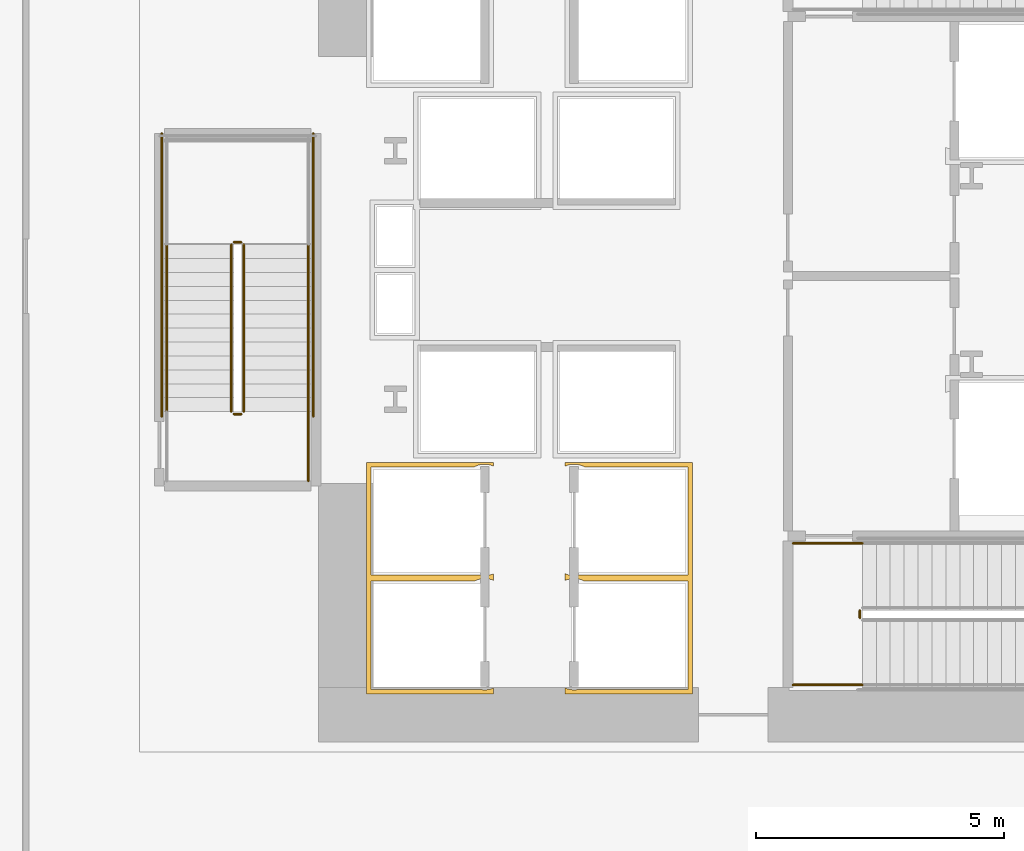
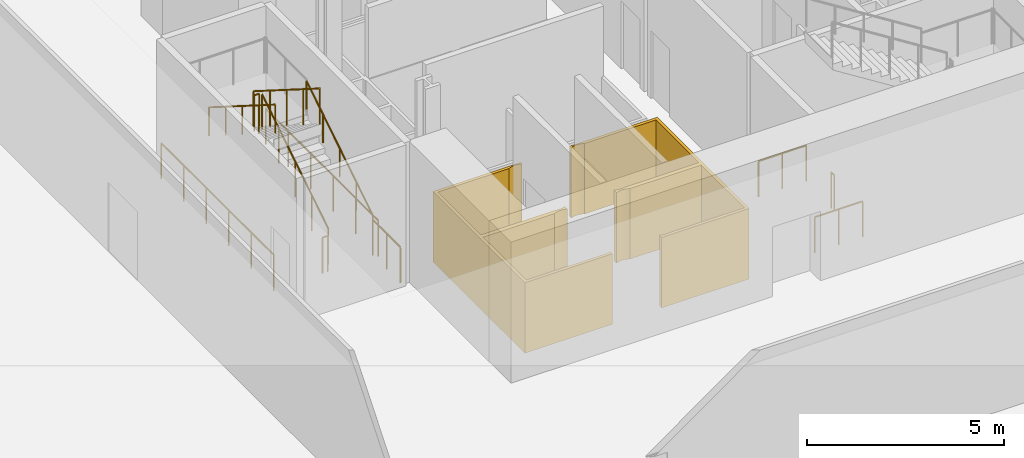
# One storey, part 11 of 18: 12 railings, 2 coverings.
"""IFC4 building model written with IfcOpenShell, lengths in metres."""

import ifcopenshell
import ifcopenshell.guid

model = None  # the IFC model being written
_history = None  # IfcOwnerHistory: only IFC2X3 demands one
_inside = {}  # id of a spatial element -> (the spatial element, [elements in it])
_under = {}  # id of a project, library or spatial element -> (it, [spatial elements below it])
_declared = {}  # id of a project -> (the project, [libraries it declares])
_typed = {}  # id of a type object -> (the type object, [elements of that type])
_made_of = {}  # id of a material, layer set ... -> (it, [elements and type objects made of it])


def new_model(schema):
    """Start an empty IFC model of exactly this schema.

    Asked for "IFC4X3", IfcOpenShell would pick the latest addendum, in which some entities
    have other attributes; the version numbers below select the first issue.
    IFC2X3 requires an IfcOwnerHistory on every rooted entity: one is made here for all.
    """
    global model, _history
    if schema == "IFC4X3":
        model = ifcopenshell.file(schema_version=(4, 3, 0, 0))
    else:
        model = ifcopenshell.file(schema=schema)
    _inside.clear()
    _under.clear()
    _declared.clear()
    _typed.clear()
    _made_of.clear()
    _history = None
    if model.schema == "IFC2X3":
        org = make("IfcOrganization", Name="unknown")
        user = make(
            "IfcPersonAndOrganization",
            ThePerson=make("IfcPerson", FamilyName="unknown"),
            TheOrganization=org,
        )
        app = make(
            "IfcApplication",
            ApplicationDeveloper=org,
            Version="unknown",
            ApplicationFullName="unknown",
            ApplicationIdentifier="unknown",
        )
        _history = make(
            "IfcOwnerHistory",
            OwningUser=user,
            OwningApplication=app,
            ChangeAction="ADDED",
            CreationDate=0,
        )
    return model


def make(cls, **values):
    """One entity of the class cls with the attributes given. An attribute that is None is left unset."""
    return model.create_entity(
        cls, **{name: value for name, value in values.items() if value is not None}
    )


def rooted(cls, **values):
    """An entity with a GlobalId (a new one), such as an element, a storey or a relation."""
    return make(cls, GlobalId=ifcopenshell.guid.new(), OwnerHistory=_history, **values)


def si_unit(unit_type, name, prefix=None):
    """IfcSIUnit, for example si_unit("LENGTHUNIT", "METRE", prefix="MILLI")."""
    return make("IfcSIUnit", UnitType=unit_type, Prefix=prefix, Name=name)


def assignment(units):
    """IfcUnitAssignment: the units of a project."""
    return None if units is None else make("IfcUnitAssignment", Units=units)


def point(xyz):
    """IfcCartesianPoint."""
    return None if xyz is None else make("IfcCartesianPoint", Coordinates=xyz)


def direction(xyz):
    """IfcDirection."""
    return None if xyz is None else make("IfcDirection", DirectionRatios=xyz)


def frame(location, z_axis=None, x_axis=None):
    """IfcAxis2Placement3D, a coordinate frame: its origin and axes. An axis left out is left unset."""
    return make(
        "IfcAxis2Placement3D",
        Location=point(location),
        Axis=direction(z_axis),
        RefDirection=direction(x_axis),
    )


def frame_2d(location, x_axis=None):
    """IfcAxis2Placement2D, a coordinate frame in the plane: its origin and x axis."""
    return make(
        "IfcAxis2Placement2D", Location=point(location), RefDirection=direction(x_axis)
    )


def origin():
    """The frame at (0, 0, 0) with its axes left unset."""
    return frame((0.0, 0.0, 0.0))


def origin_2d():
    """The frame at (0, 0) in the plane with its x axis left unset."""
    return frame_2d((0.0, 0.0))


def place(relative_to, where):
    """IfcLocalPlacement: puts the frame where relative to a parent placement (None: the world)."""
    return make(
        "IfcLocalPlacement", PlacementRelTo=relative_to, RelativePlacement=where
    )


def context(
    kind, dimensions, precision=None, world=None, true_north=None, identifier=None
):
    """IfcGeometricRepresentationContext, for example the 3D "Model" context."""
    return make(
        "IfcGeometricRepresentationContext",
        ContextIdentifier=identifier,
        ContextType=kind,
        CoordinateSpaceDimension=dimensions,
        Precision=precision,
        WorldCoordinateSystem=world,
        TrueNorth=true_north,
    )


def subcontext(parent, identifier, kind, view, scale=None):
    """IfcGeometricRepresentationSubContext, for example "Body" below "Model"."""
    return make(
        "IfcGeometricRepresentationSubContext",
        ContextIdentifier=identifier,
        ContextType=kind,
        ParentContext=parent,
        TargetScale=scale,
        TargetView=view,
    )


def project(units=None, contexts=None):
    """IfcProject with its units and contexts."""
    return rooted(
        "IfcProject",
        Name="project",
        RepresentationContexts=contexts,
        UnitsInContext=assignment(units),
    )


def spatial(cls, under=None, at=None, **own):
    """A site, building, storey or space (cls), placed at a placement, below another one or the project."""
    s = rooted(cls, ObjectPlacement=at, **own)
    if under is not None:
        _under.setdefault(under.id(), (under, []))[1].append(s)
    return s


def polyline(points):
    """IfcPolyline through the points."""
    return make("IfcPolyline", Points=[point(p) for p in points])


def profile(cls, at=None, kind="AREA", **sizes):
    """A parametric profile (cls). Its sizes go by their IFC names, for example OverallWidth=200.0."""
    return make(cls, ProfileType=kind, Position=at, **sizes)


def circle(**sizes):
    """IfcCircleProfileDef."""
    return profile("IfcCircleProfileDef", **sizes)


def outline(outer, holes=None, kind="AREA"):
    """IfcArbitraryClosedProfileDef: a profile drawn as a closed curve; with holes, ...WithVoids."""
    if holes is None:
        return make("IfcArbitraryClosedProfileDef", ProfileType=kind, OuterCurve=outer)
    return make(
        "IfcArbitraryProfileDefWithVoids",
        ProfileType=kind,
        OuterCurve=outer,
        InnerCurves=holes,
    )


def extrude(swept, where, along, depth):
    """IfcExtrudedAreaSolid: the profile swept, set in the frame where, extruded along a direction by depth."""
    return make(
        "IfcExtrudedAreaSolid",
        SweptArea=swept,
        Position=where,
        ExtrudedDirection=direction(along),
        Depth=depth,
    )


def shape(context_of_items, identifier, shape_type, items):
    """IfcShapeRepresentation: the items that make up one representation, for example the "Body"."""
    return make(
        "IfcShapeRepresentation",
        ContextOfItems=context_of_items,
        RepresentationIdentifier=identifier,
        RepresentationType=shape_type,
        Items=items,
    )


def material(Name=None, Category=None):
    """IfcMaterial."""
    return make("IfcMaterial", Name=Name, Category=Category)


def layer(
    of_material, thickness, ventilated=None, Name=None, Category=None, Priority=None
):
    """IfcMaterialLayer: one layer of a wall or slab, of a material (None: an air gap)."""
    return make(
        "IfcMaterialLayer",
        Material=of_material,
        LayerThickness=thickness,
        IsVentilated=ventilated,
        Name=Name,
        Category=Category,
        Priority=Priority,
    )


def layer_set(layers, Name=None):
    """IfcMaterialLayerSet."""
    return make("IfcMaterialLayerSet", MaterialLayers=layers, LayerSetName=Name)


def made_of(thing, what):
    """Note that an element or type object is made of a material, layer set ...; save() writes the relation."""
    if what is not None:
        _made_of.setdefault(what.id(), (what, []))[1].append(thing)
    return thing


def type_object(cls, material=None, **own):
    """A type object (cls), such as IfcWallType, which elements share."""
    return made_of(rooted(cls, **own), material)


def element(
    cls,
    number,
    at=None,
    inside=None,
    cuts=None,
    type_object=None,
    material=None,
    context=None,
    identifier="Body",
    shape_type=None,
    held_by="IfcProductDefinitionShape",
    body=None,
    shapes=None,
    **own,
):
    """One element of the class cls, such as IfcWall. Its Tag is "e" and its number.

    at: its placement. inside: the storey or other place that contains it. cuts: it is an
    opening in that element (IfcRelVoidsElement). A single representation is given by context,
    identifier, shape_type and body (its items); several are given by shapes. held_by: the class
    of the entity that holds the representations. save() writes the other relations.
    """
    e = rooted(cls, Tag="e%d" % number, ObjectPlacement=at, **own)
    if body is not None:
        shapes = [shape(context, identifier, shape_type, body)]
    if shapes is not None:
        e.Representation = make(held_by, Representations=shapes)
    if inside is not None:
        _inside.setdefault(inside.id(), (inside, []))[1].append(e)
    if cuts is not None:
        rooted(
            "IfcRelVoidsElement", RelatingBuildingElement=cuts, RelatedOpeningElement=e
        )
    if type_object is not None:
        _typed.setdefault(type_object.id(), (type_object, []))[1].append(e)
    return made_of(e, material)


def aggregate(whole, parts):
    """IfcRelAggregates: a whole, such as a stair, and the parts it consists of."""
    return rooted("IfcRelAggregates", RelatingObject=whole, RelatedObjects=parts)


def save(model, path):
    """Write the relations noted so far, then the file.

    IfcRelAggregates (storeys below a building ...), IfcRelContainedInSpatialStructure (elements
    in a storey), IfcRelDefinesByType, IfcRelAssociatesMaterial and IfcRelDeclares: one each for
    every whole, place, type object, material and project.
    """
    for whole, parts in _under.values():
        aggregate(whole, parts)
    for where, things in _inside.values():
        rooted(
            "IfcRelContainedInSpatialStructure",
            RelatedElements=things,
            RelatingStructure=where,
        )
    for kind, things in _typed.values():
        rooted("IfcRelDefinesByType", RelatedObjects=things, RelatingType=kind)
    for what, things in _made_of.values():
        rooted("IfcRelAssociatesMaterial", RelatedObjects=things, RelatingMaterial=what)
    for by, libraries in _declared.values():
        rooted("IfcRelDeclares", RelatingContext=by, RelatedDefinitions=libraries)
    model.write(path)


model = new_model("IFC4")

# Units and contexts
model_context = context("Model", 3, precision=1e-05, world=origin(), true_north=direction((0.0, 1.0)))
body_context = subcontext(model_context, "Body", "Model", "MODEL_VIEW")
ifc_project = project(units=[si_unit("LENGTHUNIT", "METRE"), si_unit("AREAUNIT", "SQUARE_METRE"), si_unit("VOLUMEUNIT", "CUBIC_METRE"), si_unit("PLANEANGLEUNIT", "RADIAN"), si_unit("MASSUNIT", "GRAM", prefix="KILO")], contexts=[model_context])

# Site, building, storey
site_placement = place(None, origin())
site = spatial("IfcSite", under=ifc_project, at=site_placement, CompositionType="ELEMENT")
building_placement = place(site_placement, origin())
building = spatial("IfcBuilding", under=site, at=building_placement, Name="Valkerne Bourse Tower", CompositionType="ELEMENT")
storey_placement = place(building_placement, frame((0.0, 0.0, 14.800048828125)))
storey = spatial("IfcBuildingStorey", under=building, at=storey_placement, Name="L03", CompositionType="ELEMENT", Elevation=14.800048828125)

# Coverings
ifc_material_1 = material(Name="Gypsum Shaftwall Liner Board", Category="gypsum")
ifc_layer = layer(ifc_material_1, 0.080078125)
ifc_layer_set = layer_set([ifc_layer], Name="Gypsum Shaftwall Liner Board")
covering_type = type_object("IfcCoveringType", Name="COV-SHF-CLAD", PredefinedType="CLADDING", material=ifc_layer_set)
covering_1_placement = place(storey_placement, origin())
element("IfcCovering", 1, at=covering_1_placement, inside=storey, type_object=covering_type, Name="L03 Hoistway & Riser Shaftwall Liner 01", PredefinedType="CLADDING", context=body_context, shape_type="SweptSolid", body=[
    extrude(outline(polyline([(38.169921875, 23.1298828125), (40.72998046875, 23.1298828125), (40.72998046875, 23.052001953125), (40.72216796875, 23.0556640625), (40.6806640625, 23.070556640625), (40.6376953125, 23.081298828125), (40.593994140625, 23.087890625), (40.550048828125, 23.090087890625), (40.505859375, 23.087890625), (40.462158203125, 23.081298828125), (40.41943359375, 23.070556640625), (40.377685546875, 23.0556640625), (40.344482421875, 23.0400390625), (38.260009765625, 23.0400390625), (38.260009765625, 20.860107421875), (40.456787109375, 20.860107421875), (40.462158203125, 20.858642578125), (40.505859375, 20.852294921875), (40.550048828125, 20.85009765625), (40.593994140625, 20.852294921875), (40.6376953125, 20.858642578125), (40.6806640625, 20.869384765625), (40.72216796875, 20.88427734375), (40.72998046875, 20.887939453125), (40.72998046875, 20.830078125), (40.72998046875, 20.77001953125), (40.72998046875, 20.752197265625), (40.72216796875, 20.755615234375), (40.6806640625, 20.7705078125), (40.6376953125, 20.781494140625), (40.593994140625, 20.787841796875), (40.550048828125, 20.7900390625), (40.505859375, 20.787841796875), (40.462158203125, 20.781494140625), (40.41943359375, 20.7705078125), (40.377685546875, 20.755615234375), (40.344482421875, 20.739990234375), (38.260009765625, 20.739990234375), (38.260009765625, 18.56005859375), (40.456787109375, 18.56005859375), (40.462158203125, 18.55859375), (40.505859375, 18.55224609375), (40.550048828125, 18.550048828125), (40.593994140625, 18.55224609375), (40.6376953125, 18.55859375), (40.6806640625, 18.5693359375), (40.72216796875, 18.584228515625), (40.72998046875, 18.587890625), (40.72998046875, 18.469970703125), (38.169921875, 18.469970703125), (38.169921875, 20.77001953125), (38.169921875, 20.830078125), (38.169921875, 23.1298828125)])), origin(), (0.0, 0.0, 1.0), 2.179931640625),
])
covering_2_placement = place(storey_placement, origin())
element("IfcCovering", 2, at=covering_2_placement, inside=storey, type_object=covering_type, Name="L03 Hoistway & Riser Shaftwall Liner 06", PredefinedType="CLADDING", context=body_context, shape_type="SweptSolid", body=[
    extrude(outline(polyline([(42.169921875, 20.830078125), (42.169921875, 20.887939453125), (42.177734375, 20.88427734375), (42.219482421875, 20.869384765625), (42.26220703125, 20.858642578125), (42.305908203125, 20.852294921875), (42.35009765625, 20.85009765625), (42.39404296875, 20.852294921875), (42.437744140625, 20.858642578125), (42.443115234375, 20.860107421875), (44.639892578125, 20.860107421875), (44.639892578125, 23.0400390625), (42.555419921875, 23.0400390625), (42.522216796875, 23.0556640625), (42.480712890625, 23.070556640625), (42.437744140625, 23.081298828125), (42.39404296875, 23.087890625), (42.35009765625, 23.090087890625), (42.305908203125, 23.087890625), (42.26220703125, 23.081298828125), (42.219482421875, 23.070556640625), (42.177734375, 23.0556640625), (42.169921875, 23.052001953125), (42.169921875, 23.1298828125), (44.72998046875, 23.1298828125), (44.72998046875, 20.830078125), (44.72998046875, 20.77001953125), (44.72998046875, 18.469970703125), (42.169921875, 18.469970703125), (42.169921875, 18.587890625), (42.177734375, 18.584228515625), (42.219482421875, 18.5693359375), (42.26220703125, 18.55859375), (42.305908203125, 18.55224609375), (42.35009765625, 18.550048828125), (42.39404296875, 18.55224609375), (42.437744140625, 18.55859375), (42.443115234375, 18.56005859375), (44.639892578125, 18.56005859375), (44.639892578125, 20.739990234375), (42.555419921875, 20.739990234375), (42.522216796875, 20.755615234375), (42.480712890625, 20.7705078125), (42.437744140625, 20.781494140625), (42.39404296875, 20.787841796875), (42.35009765625, 20.7900390625), (42.305908203125, 20.787841796875), (42.26220703125, 20.781494140625), (42.219482421875, 20.7705078125), (42.177734375, 20.755615234375), (42.169921875, 20.752197265625), (42.169921875, 20.77001953125), (42.169921875, 20.830078125)])), origin(), (0.0, 0.0, 1.0), 2.179931640625),
])

# Railings
ifc_material_2 = material(Name="Galvanised Painted Steel", Category="steel")
railing_type_1 = type_object("IfcRailingType", Name="RLG-ST-GUARD-1120", PredefinedType="GUARDRAIL", material=ifc_material_2)
railing_1_placement = place(storey_placement, frame((48.10009765625, 20.0, 0.0)))
element("IfcRailing", 3, at=railing_1_placement, inside=storey, type_object=railing_type_1, Name="L03 ST-1 stair guard 7", PredefinedType="GUARDRAIL", context=body_context, shape_type="SweptSolid", body=[
    extrude(circle(Radius=0.02392578125, at=origin_2d()), frame((0.0, 0.0, 1.09619140625), z_axis=(0.0, 1.0, 0.0), x_axis=(-1.0, 0.0, 0.0)), (0.0, 0.0, 1.0), 0.14990234375),
    extrude(circle(Radius=0.02099609375, at=origin_2d()), origin(), (0.0, 0.0, 1.0), 1.072021484375),
    extrude(circle(Radius=0.02099609375, at=origin_2d()), frame((0.0, 0.14990234375, 0.0)), (0.0, 0.0, 1.0), 1.072021484375),
])
for number, where, name in (
    (4, (46.75, 18.64990234375, 0.0), "L03 ST-1 stair guard 8"),
    (5, (46.75, 21.5, 0.0), "L03 ST-1 stair guard 9"),
):
    element("IfcRailing", number, at=place(storey_placement, frame(where)), inside=storey, type_object=railing_type_1, Name=name, PredefinedType="GUARDRAIL", context=body_context, shape_type="SweptSolid", body=[
        extrude(circle(Radius=0.02392578125, at=origin_2d()), frame((0.0, 0.0, 1.09619140625), z_axis=(1.0, 0.0, 0.0), x_axis=(0.0, 1.0, 0.0)), (0.0, 0.0, 1.0), 1.39990234375),
        extrude(circle(Radius=0.02099609375, at=origin_2d()), origin(), (0.0, 0.0, 1.0), 1.072021484375),
        extrude(circle(Radius=0.02099609375, at=origin_2d()), frame((0.699951171875, 0.0, 0.0)), (0.0, 0.0, 1.0), 1.072021484375),
        extrude(circle(Radius=0.02099609375, at=origin_2d()), frame((1.39990234375, 0.0, 0.0)), (0.0, 0.0, 1.0), 1.072021484375),
    ])
railing_2_placement = place(storey_placement, frame((35.699951171875, 24.14990234375, 0.1767578125)))
element("IfcRailing", 6, at=railing_2_placement, inside=storey, type_object=railing_type_1, Name="L03 ST-3 stair guard 1", PredefinedType="GUARDRAIL", context=body_context, shape_type="SweptSolid", body=[
    extrude(circle(Radius=0.02392578125, at=origin_2d()), frame((0.0, 0.0, 1.09619140625), z_axis=(0.0, 0.845361898145, 0.534194029511), x_axis=(-1.0, 0.0, 0.0)), (0.0, 0.0, 1.0), 3.974853515625),
    extrude(circle(Radius=0.02099609375, at=origin_2d()), origin(), (0.0, 0.0, 1.0), 1.072021484375),
    extrude(circle(Radius=0.02099609375, at=origin_2d()), frame((0.0, 0.840087890625, 0.53076171875)), (0.0, 0.0, 1.0), 1.072021484375),
    extrude(circle(Radius=0.02099609375, at=origin_2d()), frame((0.0, 1.68017578125, 1.0615234375)), (0.0, 0.0, 1.0), 1.072021484375),
    extrude(circle(Radius=0.02099609375, at=origin_2d()), frame((0.0, 2.52001953125, 1.592529296875)), (0.0, 0.0, 1.0), 1.072021484375),
    extrude(circle(Radius=0.02099609375, at=origin_2d()), frame((0.0, 3.360107421875, 2.123291015625)), (0.0, 0.0, 1.0), 1.072021484375),
])
railing_3_placement = place(storey_placement, frame((35.64990234375, 27.56005859375, 2.300048828125)))
element("IfcRailing", 7, at=railing_3_placement, inside=storey, type_object=railing_type_1, Name="L03 ST-3 stair guard 2", PredefinedType="GUARDRAIL", context=body_context, shape_type="SweptSolid", body=[
    extrude(circle(Radius=0.02392578125, at=origin_2d()), frame((0.0, 0.0, 1.09619140625), z_axis=(-1.0, 0.0, 0.0), x_axis=(0.0, -1.0, 0.0)), (0.0, 0.0, 1.0), 0.14990234375),
    extrude(circle(Radius=0.02099609375, at=origin_2d()), origin(), (0.0, 0.0, 1.0), 1.072021484375),
    extrude(circle(Radius=0.02099609375, at=origin_2d()), frame((-0.14990234375, 0.0, 0.0)), (0.0, 0.0, 1.0), 1.072021484375),
])
railing_4_placement = place(storey_placement, frame((35.449951171875, 27.510009765625, 2.476806640625)))
element("IfcRailing", 8, at=railing_4_placement, inside=storey, type_object=railing_type_1, Name="L03 ST-3 stair guard 6", PredefinedType="GUARDRAIL", context=body_context, shape_type="SweptSolid", body=[
    extrude(circle(Radius=0.02392578125, at=origin_2d()), frame((0.0, 0.0, 1.09619140625), z_axis=(0.0, -0.845389635667, 0.534150132366), x_axis=(1.0, 0.0, 0.0)), (0.0, 0.0, 1.0), 3.974609375),
    extrude(circle(Radius=0.02099609375, at=origin_2d()), origin(), (0.0, 0.0, 1.0), 1.072021484375),
    extrude(circle(Radius=0.02099609375, at=origin_2d()), frame((0.0, -0.840087890625, 0.53076171875)), (0.0, 0.0, 1.0), 1.072021484375),
    extrude(circle(Radius=0.02099609375, at=origin_2d()), frame((0.0, -1.68017578125, 1.0615234375)), (0.0, 0.0, 1.0), 1.072021484375),
    extrude(circle(Radius=0.02099609375, at=origin_2d()), frame((0.0, -2.52001953125, 1.59228515625)), (0.0, 0.0, 1.0), 1.072021484375),
    extrude(circle(Radius=0.02099609375, at=origin_2d()), frame((0.0, -3.360107421875, 2.123046875)), (0.0, 0.0, 1.0), 1.072021484375),
])
railing_5_placement = place(storey_placement, frame((35.64990234375, 24.10009765625, 0.0)))
element("IfcRailing", 9, at=railing_5_placement, inside=storey, type_object=railing_type_1, Name="L03 ST-3 stair guard 7", PredefinedType="GUARDRAIL", context=body_context, shape_type="SweptSolid", body=[
    extrude(circle(Radius=0.02392578125, at=origin_2d()), frame((0.0, 0.0, 1.09619140625), z_axis=(-1.0, 0.0, 0.0), x_axis=(0.0, -1.0, 0.0)), (0.0, 0.0, 1.0), 0.14990234375),
    extrude(circle(Radius=0.02099609375, at=origin_2d()), origin(), (0.0, 0.0, 1.0), 1.072021484375),
    extrude(circle(Radius=0.02099609375, at=origin_2d()), frame((-0.14990234375, 0.0, 0.0)), (0.0, 0.0, 1.0), 1.072021484375),
])
railing_6_placement = place(storey_placement, frame((37.0, 22.75, 0.0)))
element("IfcRailing", 10, at=railing_6_placement, inside=storey, type_object=railing_type_1, Name="L03 ST-3 stair guard 8", PredefinedType="GUARDRAIL", context=body_context, shape_type="SweptSolid", body=[
    extrude(circle(Radius=0.02392578125, at=origin_2d()), frame((0.0, 0.0, 1.09619140625), z_axis=(0.0, 1.0, 0.0), x_axis=(-1.0, 0.0, 0.0)), (0.0, 0.0, 1.0), 1.39990234375),
    extrude(circle(Radius=0.02099609375, at=origin_2d()), origin(), (0.0, 0.0, 1.0), 1.072021484375),
    extrude(circle(Radius=0.02099609375, at=origin_2d()), frame((0.0, 0.699951171875, 0.0)), (0.0, 0.0, 1.0), 1.072021484375),
    extrude(circle(Radius=0.02099609375, at=origin_2d()), frame((0.0, 1.39990234375, 0.0)), (0.0, 0.0, 1.0), 1.072021484375),
])
for number, where, name in (
    (11, (37.10009765625, 24.050048828125, 0.0), "L03 ST-3 stair guard 10"),
    (12, (34.050048828125, 24.050048828125, 0.0), "L03 ST-3 stair guard 11"),
):
    element("IfcRailing", number, at=place(storey_placement, frame(where)), inside=storey, type_object=railing_type_1, Name=name, PredefinedType="GUARDRAIL", context=body_context, shape_type="SweptSolid", body=[
        extrude(circle(Radius=0.02392578125, at=origin_2d()), frame((0.0, 0.0, 1.09619140625), z_axis=(0.0, 1.0, 0.0), x_axis=(-1.0, 0.0, 0.0)), (0.0, 0.0, 1.0), 5.699951171875),
        extrude(circle(Radius=0.02099609375, at=origin_2d()), origin(), (0.0, 0.0, 1.0), 1.072021484375),
        extrude(circle(Radius=0.02099609375, at=origin_2d()), frame((0.0, 1.139892578125, 0.0)), (0.0, 0.0, 1.0), 1.072021484375),
        extrude(circle(Radius=0.02099609375, at=origin_2d()), frame((0.0, 2.280029296875, 0.0)), (0.0, 0.0, 1.0), 1.072021484375),
        extrude(circle(Radius=0.02099609375, at=origin_2d()), frame((0.0, 3.419921875, 0.0)), (0.0, 0.0, 1.0), 1.072021484375),
        extrude(circle(Radius=0.02099609375, at=origin_2d()), frame((0.0, 4.56005859375, 0.0)), (0.0, 0.0, 1.0), 1.072021484375),
        extrude(circle(Radius=0.02099609375, at=origin_2d()), frame((0.0, 5.699951171875, 0.0)), (0.0, 0.0, 1.0), 1.072021484375),
    ])
ifc_material_3 = material(Name="Stainless Steel AISI 316", Category="steel")
railing_type_2 = type_object("IfcRailingType", Name="RLG-ST-HANDRAIL-900", PredefinedType="HANDRAIL", material=ifc_material_3)
railing_7_placement = place(storey_placement, frame((37.0, 24.14990234375, 0.353759765625)))
element("IfcRailing", 13, at=railing_7_placement, inside=storey, type_object=railing_type_2, Name="L03 ST-3 stair handrail 1", PredefinedType="HANDRAIL", context=body_context, shape_type="SweptSolid", body=[
    extrude(circle(Radius=0.02392578125, at=origin_2d()), frame((0.0, 0.0, 0.8759765625), z_axis=(0.0, 0.845389635667, 0.534150132366), x_axis=(-1.0, 0.0, 0.0)), (0.0, 0.0, 1.0), 3.974609375),
    extrude(circle(Radius=0.02099609375, at=origin_2d()), origin(), (0.0, 0.0, 1.0), 0.851806640625),
    extrude(circle(Radius=0.02099609375, at=origin_2d()), frame((0.0, 0.840087890625, 0.53076171875)), (0.0, 0.0, 1.0), 0.851806640625),
    extrude(circle(Radius=0.02099609375, at=origin_2d()), frame((0.0, 1.68017578125, 1.0615234375)), (0.0, 0.0, 1.0), 0.851806640625),
    extrude(circle(Radius=0.02099609375, at=origin_2d()), frame((0.0, 2.52001953125, 1.59228515625)), (0.0, 0.0, 1.0), 0.851806640625),
    extrude(circle(Radius=0.02099609375, at=origin_2d()), frame((0.0, 3.360107421875, 2.123046875)), (0.0, 0.0, 1.0), 0.851806640625),
])
railing_8_placement = place(storey_placement, frame((34.14990234375, 27.510009765625, 2.65380859375)))
element("IfcRailing", 14, at=railing_8_placement, inside=storey, type_object=railing_type_2, Name="L03 ST-3 stair handrail 2", PredefinedType="HANDRAIL", context=body_context, shape_type="SweptSolid", body=[
    extrude(circle(Radius=0.02392578125, at=origin_2d()), frame((0.0, 0.0, 0.8759765625), z_axis=(0.0, -0.845389635667, 0.534150132366), x_axis=(1.0, 0.0, 0.0)), (0.0, 0.0, 1.0), 3.974609375),
    extrude(circle(Radius=0.02099609375, at=origin_2d()), origin(), (0.0, 0.0, 1.0), 0.851806640625),
    extrude(circle(Radius=0.02099609375, at=origin_2d()), frame((0.0, -0.840087890625, 0.53076171875)), (0.0, 0.0, 1.0), 0.851806640625),
    extrude(circle(Radius=0.02099609375, at=origin_2d()), frame((0.0, -1.68017578125, 1.0615234375)), (0.0, 0.0, 1.0), 0.851806640625),
    extrude(circle(Radius=0.02099609375, at=origin_2d()), frame((0.0, -2.52001953125, 1.59228515625)), (0.0, 0.0, 1.0), 0.851806640625),
    extrude(circle(Radius=0.02099609375, at=origin_2d()), frame((0.0, -3.360107421875, 2.123046875)), (0.0, 0.0, 1.0), 0.851806640625),
])

save(model, "model.ifc")
